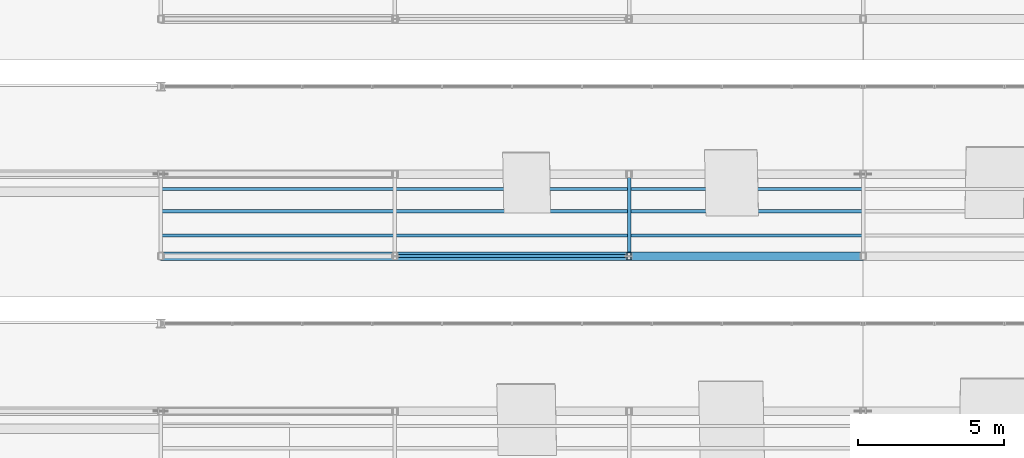
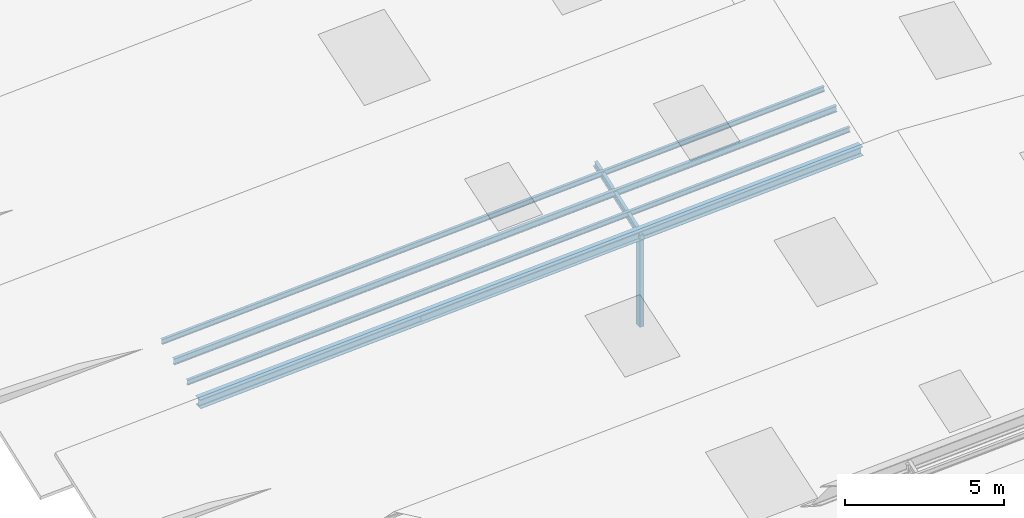
# One storey, part 40 of 141: 7 members.
"""IFC4 building model written with IfcOpenShell, lengths in metres."""

from ifc_helpers import new_model, si_unit, direction, frame, origin, origin_2d, place, context, subcontext, project, spatial, hollow_rectangle, i_section, extrude, material, material_profile, profile_set, type_object, element, save


model = new_model("IFC4")

# Units and contexts
model_context = context("Model", 3, precision=1e-05, world=origin(), true_north=direction((0.0, 1.0)))
body_context = subcontext(model_context, "Body", "Model", "MODEL_VIEW")
ifc_project = project(units=[si_unit("LENGTHUNIT", "METRE"), si_unit("AREAUNIT", "SQUARE_METRE"), si_unit("VOLUMEUNIT", "CUBIC_METRE"), si_unit("PLANEANGLEUNIT", "RADIAN"), si_unit("MASSUNIT", "GRAM", prefix="KILO")], contexts=[model_context])

# Site, building, storey
site_placement = place(None, origin())
site = spatial("IfcSite", under=ifc_project, at=site_placement, CompositionType="ELEMENT")
building_placement = place(site_placement, origin())
building = spatial("IfcBuilding", under=site, at=building_placement, Name="Sundkrona Museum", CompositionType="ELEMENT")
storey_placement = place(building_placement, frame((0.0, 0.0, 34.0)))
storey = spatial("IfcBuildingStorey", under=building, at=storey_placement, Name="RF", CompositionType="ELEMENT", Elevation=34.0)

# Members
ifc_material = material(Name="Steel S355J2", Category="steel")
ifc_material_profile_1 = material_profile(ifc_material, i_section(OverallWidth=0.10009765625, OverallDepth=0.199951171875, WebThickness=0.005615234375, FlangeThickness=0.008544921875, FilletRadius=0.011962890625, at=origin_2d()), Name="IPE 200")
ifc_profile_set_1 = profile_set([ifc_material_profile_1], Name="Steel S355J2")
member_type_1 = type_object("IfcMemberType", Name="PR-IPE200", PredefinedType="PURLIN", material=ifc_profile_set_1)
for number, where, z_axis, x_axis, name in (
    (1, (120.0, 21.39990234375, 2.739501953125), (0.998539934522, 0.0, 0.054018507607), (0.0, 1.0, 0.0), "RFS-1 Sawtooth Blade 4W Roof Purlin 1"),
    (2, (120.0, 22.99609375, 3.326904296875), (0.998539934522, 0.0, 0.054018507607), (0.0, 1.0, 0.0), "RFS-1 Sawtooth Blade 4W Roof Purlin 3"),
):
    element("IfcMember", number, at=place(storey_placement, frame(where, z_axis=z_axis, x_axis=x_axis)), inside=storey, type_object=member_type_1, Name=name, PredefinedType="PURLIN", context=body_context, shape_type="SweptSolid", body=[
        extrude(i_section(OverallWidth=0.10009765625, OverallDepth=0.199951171875, WebThickness=0.005615234375, FlangeThickness=0.008544921875, FilletRadius=0.011962890625, at=origin_2d()), origin(), (0.0, 0.0, 1.0), 24.03515625),
    ])
ifc_material_profile_2 = material_profile(ifc_material, i_section(OverallWidth=0.1201171875, OverallDepth=0.239990234375, WebThickness=0.006103515625, FlangeThickness=0.009765625, FilletRadius=0.014892578125, at=origin_2d()), Name="IPE 240")
ifc_profile_set_2 = profile_set([ifc_material_profile_2], Name="Steel S355J2")
member_type_2 = type_object("IfcMemberType", Name="PR-IPE240", PredefinedType="PURLIN", material=ifc_profile_set_2)
member_1_placement = place(storey_placement, frame((136.0, 20.699951171875, 3.262451171875), z_axis=(0.0, 0.942754878846, 0.333486489099), x_axis=(-1.0, 0.0, 0.0)))
element("IfcMember", 3, at=member_1_placement, inside=storey, type_object=member_type_2, Name="RFS-1 Sawtooth Bay 4 Transverse Rafter 3", PredefinedType="PURLIN", context=body_context, shape_type="SweptSolid", body=[
    extrude(i_section(OverallWidth=0.1201171875, OverallDepth=0.239990234375, WebThickness=0.006103515625, FlangeThickness=0.009765625, FilletRadius=0.014892578125, at=origin_2d()), origin(), (0.0, 0.0, 1.0), 2.969970703125),
])
member_2_placement = place(storey_placement, frame((120.0, 22.239990234375, 3.02880859375), z_axis=(0.998539934522, 0.0, 0.054018507607), x_axis=(0.0, 1.0, 0.0)))
element("IfcMember", 4, at=member_2_placement, inside=storey, type_object=member_type_2, Name="RFS-1 Sawtooth Blade 4W Roof Purlin 2", PredefinedType="PURLIN", context=body_context, shape_type="SweptSolid", body=[
    extrude(i_section(OverallWidth=0.1201171875, OverallDepth=0.239990234375, WebThickness=0.006103515625, FlangeThickness=0.009765625, FilletRadius=0.014892578125, at=origin_2d()), origin(), (0.0, 0.0, 1.0), 24.03515625),
])
ifc_material_profile_3 = material_profile(ifc_material, hollow_rectangle(XDim=0.10009765625, YDim=0.199951171875, WallThickness=0.008056640625, at=origin_2d()), Name="RHS 200x100x8.0")
ifc_profile_set_3 = profile_set([ifc_material_profile_3], Name="Steel S355J2")
member_type_3 = type_object("IfcMemberType", Name="PR-RHS200", PredefinedType="PURLIN", material=ifc_profile_set_3)
member_3_placement = place(storey_placement, frame((128.0400390625, 20.699951171875, 2.7919921875), z_axis=(0.998541466085, 0.0, 0.053990189011), x_axis=(0.0, 1.0, 0.0)))
element("IfcMember", 5, at=member_3_placement, inside=storey, type_object=member_type_3, Name="RFS-1 Sawtooth Bay 4 Valley Trim Purlin", PredefinedType="PURLIN", context=body_context, shape_type="SweptSolid", body=[
    extrude(hollow_rectangle(XDim=0.10009765625, YDim=0.199951171875, WallThickness=0.008056640625, at=origin_2d()), origin(), (0.0, 0.0, 1.0), 7.931396484375),
])
ifc_material_profile_4 = material_profile(ifc_material, hollow_rectangle(XDim=0.14990234375, YDim=0.25, WallThickness=0.010009765625, at=origin_2d()), Name="RHS 250x150x10.0")
ifc_profile_set_4 = profile_set([ifc_material_profile_4], Name="Steel S355J2")
member_type_4 = type_object("IfcMemberType", Name="ST-RHS250", PredefinedType="STRUT", material=ifc_profile_set_4)
member_4_placement = place(storey_placement, frame((136.0, 20.699951171875, -0.25), z_axis=(0.0, 0.0, 1.0), x_axis=(1.0, 0.0, 0.0)))
element("IfcMember", 6, at=member_4_placement, inside=storey, type_object=member_type_4, Name="RFS-1 Sawtooth Bay 4 Valley Post 3", PredefinedType="STRUT", context=body_context, shape_type="SweptSolid", body=[
    extrude(hollow_rectangle(XDim=0.14990234375, YDim=0.25, WallThickness=0.010009765625, at=origin_2d()), origin(), (0.0, 0.0, 1.0), 3.512451171875),
])
ifc_material_profile_5 = material_profile(ifc_material, i_section(OverallWidth=0.300048828125, OverallDepth=0.35009765625, WebThickness=0.010009765625, FlangeThickness=0.017578125, FilletRadius=0.027099609375, at=origin_2d()), Name="HEA 360")
ifc_profile_set_5 = profile_set([ifc_material_profile_5], Name="Steel S355J2")
member_type_5 = type_object("IfcMemberType", Name="TC-HEA360", PredefinedType="CHORD", material=ifc_profile_set_5)
member_5_placement = place(storey_placement, frame((120.0, 20.699951171875, 2.39697265625), z_axis=(0.998539934522, 0.0, 0.054018507607), x_axis=(0.0, 1.0, 0.0)))
element("IfcMember", 7, at=member_5_placement, inside=storey, type_object=member_type_5, Name="RFS-1 Sawtooth Valley Truss 4 West Top Chord", PredefinedType="CHORD", context=body_context, shape_type="SweptSolid", body=[
    extrude(i_section(OverallWidth=0.300048828125, OverallDepth=0.35009765625, WebThickness=0.010009765625, FlangeThickness=0.017578125, FilletRadius=0.027099609375, at=origin_2d()), origin(), (0.0, 0.0, 1.0), 24.03515625),
])

save(model, "model.ifc")
